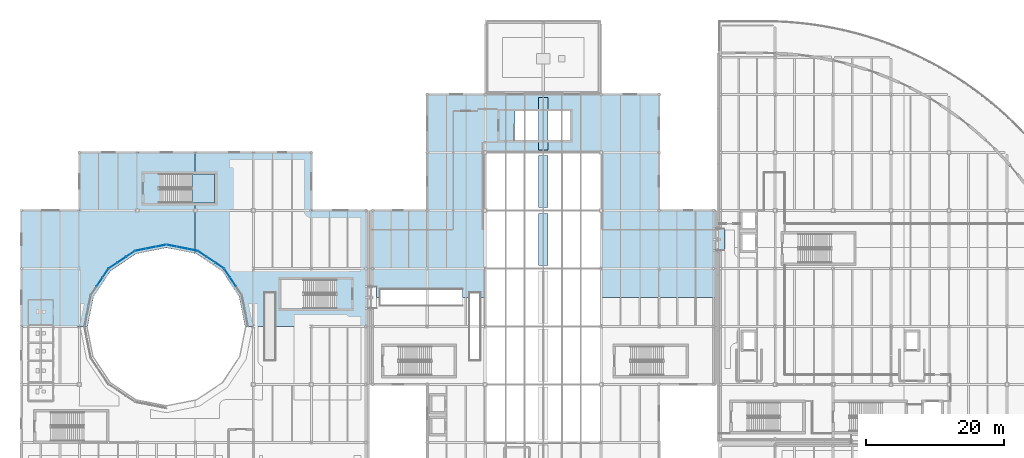
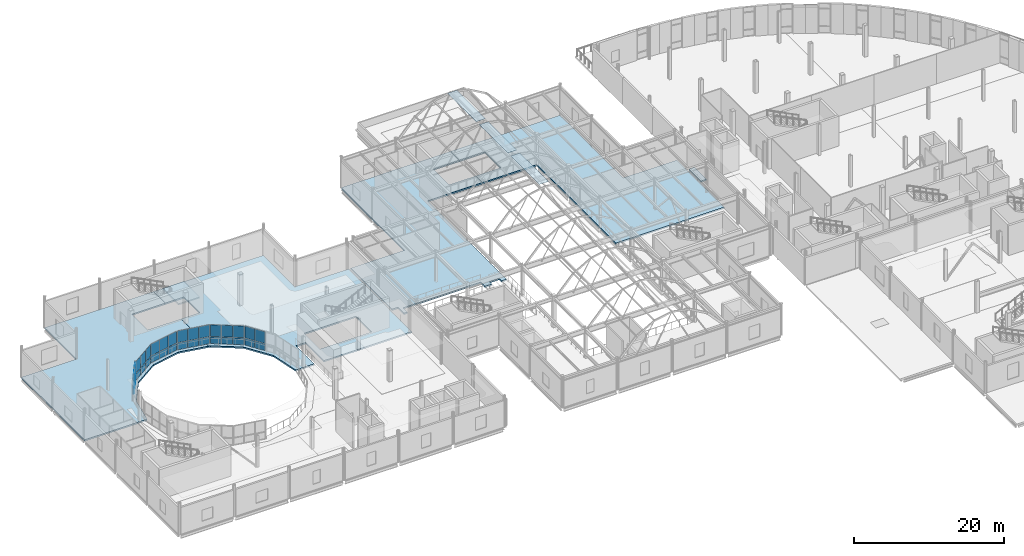
# One storey, part 59 of 103: 35 plates, 6 slabs, 7 elements without a shape of their own.
"""IFC4 building model written with IfcOpenShell, lengths in metres."""

from ifc_helpers import new_model, si_unit, direction, frame, origin, origin_2d, place, context, subcontext, project, spatial, polyline, rectangle, outline, extrude, material, layer, layer_set, type_object, element, aggregate, save


model = new_model("IFC4")

# Units and contexts
model_context = context("Model", 3, precision=1e-05, world=origin(), true_north=direction((0.0, 1.0)))
body_context = subcontext(model_context, "Body", "Model", "MODEL_VIEW")
ifc_project = project(units=[si_unit("LENGTHUNIT", "METRE"), si_unit("AREAUNIT", "SQUARE_METRE"), si_unit("VOLUMEUNIT", "CUBIC_METRE"), si_unit("PLANEANGLEUNIT", "RADIAN"), si_unit("MASSUNIT", "GRAM", prefix="KILO"), si_unit("THERMODYNAMICTEMPERATUREUNIT", "KELVIN")], contexts=[model_context])

# Site, building, storey
site_placement = place(None, origin())
site = spatial("IfcSite", under=ifc_project, at=site_placement, CompositionType="ELEMENT")
building_placement = place(site_placement, origin())
building = spatial("IfcBuilding", under=site, at=building_placement, Name="Lustrewick Department Store", CompositionType="ELEMENT")
storey_placement = place(building_placement, frame((0.0, 0.0, 16.5)))
storey = spatial("IfcBuildingStorey", under=building, at=storey_placement, Name="L04", CompositionType="ELEMENT", Elevation=16.5)

# Curtain wall, plates
ifc_material_1 = material(Name="Thermally broken aluminium 6063-T5", Category="aluminium")
ifc_layer_1 = layer(ifc_material_1, 0.169921875, Name="Thermally broken aluminium 6063-T5")
ifc_layer_set_1 = layer_set([ifc_layer_1], Name="Thermally broken aluminium 6063-T5")
curtain_wall_type_1 = type_object("IfcCurtainWallType", Name="CW16", PredefinedType="NOTDEFINED", material=ifc_layer_set_1)
curtain_wall_1_placement = place(storey_placement, origin())
curtain_wall_1 = element("IfcCurtainWall", 1, at=curtain_wall_1_placement, inside=storey, type_object=curtain_wall_type_1, Name="L04 Atrium Glazed Screen CW16", PredefinedType="NOTDEFINED")
ifc_material_2 = material(Name="Fire-protective atrium safety glass", Category="glass")
ifc_layer_2 = layer(ifc_material_2, 0.02490234375, Name="Fire-protective atrium safety glass")
ifc_layer_set_2 = layer_set([ifc_layer_2], Name="Fire-protective atrium safety glass")
plate_type_1 = type_object("IfcPlateType", Name="CP06", PredefinedType="CURTAIN_PANEL", material=ifc_layer_set_2)
plate_1_placement = place(storey_placement, frame((37.125, 76.016357421875, 0.06494140625), z_axis=(0.0, 0.0, 1.0), x_axis=(-0.831464212799, 0.555578313862, 0.0)))
plate_1 = element("IfcPlate", 2, at=plate_1_placement, type_object=plate_type_1, Name="CW16 panel 1.1", PredefinedType="CURTAIN_PANEL", context=body_context, shape_type="SweptSolid", body=[
    extrude(rectangle(XDim=1.443603515625, YDim=0.02490234375, at=origin_2d()), origin(), (0.0, 0.0, 1.0), 1.1025390625),
])
plate_2_placement = place(storey_placement, frame((37.125, 76.016357421875, 1.232421875), z_axis=(0.0, 0.0, 1.0), x_axis=(-0.831464212799, 0.555578313862, 0.0)))
plate_2 = element("IfcPlate", 3, at=plate_2_placement, type_object=plate_type_1, Name="CW16 panel 1.2", PredefinedType="CURTAIN_PANEL", context=body_context, shape_type="SweptSolid", body=[
    extrude(rectangle(XDim=1.443603515625, YDim=0.02490234375, at=origin_2d()), origin(), (0.0, 0.0, 1.0), 1.902587890625),
])
plate_3_placement = place(storey_placement, frame((35.85693359375, 76.863525390625, 0.06494140625), z_axis=(0.0, 0.0, 1.0), x_axis=(-0.831464212799, 0.555578313862, 0.0)))
plate_3 = element("IfcPlate", 4, at=plate_3_placement, type_object=plate_type_1, Name="CW16 panel 2.1", PredefinedType="CURTAIN_PANEL", context=body_context, shape_type="SweptSolid", body=[
    extrude(rectangle(XDim=1.476318359375, YDim=0.02490234375, at=origin_2d()), origin(), (0.0, 0.0, 1.0), 1.1025390625),
])
plate_4_placement = place(storey_placement, frame((35.85693359375, 76.863525390625, 1.232421875), z_axis=(0.0, 0.0, 1.0), x_axis=(-0.831464212799, 0.555578313862, 0.0)))
plate_4 = element("IfcPlate", 5, at=plate_4_placement, type_object=plate_type_1, Name="CW16 panel 2.2", PredefinedType="CURTAIN_PANEL", context=body_context, shape_type="SweptSolid", body=[
    extrude(rectangle(XDim=1.476318359375, YDim=0.02490234375, at=origin_2d()), origin(), (0.0, 0.0, 1.0), 1.902587890625),
])
plate_5_placement = place(storey_placement, frame((34.589111328125, 77.7109375, 0.06494140625), z_axis=(0.0, 0.0, 1.0), x_axis=(-0.831464212799, 0.555578313862, 0.0)))
plate_5 = element("IfcPlate", 6, at=plate_5_placement, type_object=plate_type_1, Name="CW16 panel 3.1", PredefinedType="CURTAIN_PANEL", context=body_context, shape_type="SweptSolid", body=[
    extrude(rectangle(XDim=1.443603515625, YDim=0.02490234375, at=origin_2d()), origin(), (0.0, 0.0, 1.0), 1.1025390625),
])
plate_6_placement = place(storey_placement, frame((34.589111328125, 77.7109375, 1.232421875), z_axis=(0.0, 0.0, 1.0), x_axis=(-0.831464212799, 0.555578313862, 0.0)))
plate_6 = element("IfcPlate", 7, at=plate_6_placement, type_object=plate_type_1, Name="CW16 panel 3.2", PredefinedType="CURTAIN_PANEL", context=body_context, shape_type="SweptSolid", body=[
    extrude(rectangle(XDim=1.443603515625, YDim=0.02490234375, at=origin_2d()), origin(), (0.0, 0.0, 1.0), 1.902587890625),
])
aggregate(curtain_wall_1, [plate_1, plate_2, plate_3, plate_4, plate_5, plate_6])

curtain_wall_2_placement = place(storey_placement, origin())
curtain_wall_2 = element("IfcCurtainWall", 8, at=curtain_wall_2_placement, inside=storey, type_object=curtain_wall_type_1, Name="L04 Atrium Glazed Screen CW16", PredefinedType="NOTDEFINED")
plate_7_placement = place(storey_placement, frame((24.2109375, 77.7109375, 0.06494140625), z_axis=(0.0, 0.0, 1.0), x_axis=(-0.831464212799, -0.555578313862, 0.0)))
plate_7 = element("IfcPlate", 9, at=plate_7_placement, type_object=plate_type_1, Name="CW16 panel 1.1", PredefinedType="CURTAIN_PANEL", context=body_context, shape_type="SweptSolid", body=[
    extrude(rectangle(XDim=1.443603515625, YDim=0.02490234375, at=origin_2d()), origin(), (0.0, 0.0, 1.0), 1.1025390625),
])
plate_8_placement = place(storey_placement, frame((24.2109375, 77.7109375, 1.232421875), z_axis=(0.0, 0.0, 1.0), x_axis=(-0.831464212799, -0.555578313862, 0.0)))
plate_8 = element("IfcPlate", 10, at=plate_8_placement, type_object=plate_type_1, Name="CW16 panel 1.2", PredefinedType="CURTAIN_PANEL", context=body_context, shape_type="SweptSolid", body=[
    extrude(rectangle(XDim=1.443603515625, YDim=0.02490234375, at=origin_2d()), origin(), (0.0, 0.0, 1.0), 1.902587890625),
])
plate_9_placement = place(storey_placement, frame((22.943115234375, 76.863525390625, 0.06494140625), z_axis=(0.0, 0.0, 1.0), x_axis=(-0.831464212799, -0.555578313862, 0.0)))
plate_9 = element("IfcPlate", 11, at=plate_9_placement, type_object=plate_type_1, Name="CW16 panel 2.1", PredefinedType="CURTAIN_PANEL", context=body_context, shape_type="SweptSolid", body=[
    extrude(rectangle(XDim=1.476318359375, YDim=0.02490234375, at=origin_2d()), origin(), (0.0, 0.0, 1.0), 1.1025390625),
])
plate_10_placement = place(storey_placement, frame((22.943115234375, 76.863525390625, 1.232421875), z_axis=(0.0, 0.0, 1.0), x_axis=(-0.831464212799, -0.555578313862, 0.0)))
plate_10 = element("IfcPlate", 12, at=plate_10_placement, type_object=plate_type_1, Name="CW16 panel 2.2", PredefinedType="CURTAIN_PANEL", context=body_context, shape_type="SweptSolid", body=[
    extrude(rectangle(XDim=1.476318359375, YDim=0.02490234375, at=origin_2d()), origin(), (0.0, 0.0, 1.0), 1.902587890625),
])
plate_11_placement = place(storey_placement, frame((21.675048828125, 76.016357421875, 0.06494140625), z_axis=(0.0, 0.0, 1.0), x_axis=(-0.831464212799, -0.555578313862, 0.0)))
plate_11 = element("IfcPlate", 13, at=plate_11_placement, type_object=plate_type_1, Name="CW16 panel 3.1", PredefinedType="CURTAIN_PANEL", context=body_context, shape_type="SweptSolid", body=[
    extrude(rectangle(XDim=1.443603515625, YDim=0.02490234375, at=origin_2d()), origin(), (0.0, 0.0, 1.0), 1.1025390625),
])
plate_12_placement = place(storey_placement, frame((21.675048828125, 76.016357421875, 1.232421875), z_axis=(0.0, 0.0, 1.0), x_axis=(-0.831464212799, -0.555578313862, 0.0)))
plate_12 = element("IfcPlate", 14, at=plate_12_placement, type_object=plate_type_1, Name="CW16 panel 3.2", PredefinedType="CURTAIN_PANEL", context=body_context, shape_type="SweptSolid", body=[
    extrude(rectangle(XDim=1.443603515625, YDim=0.02490234375, at=origin_2d()), origin(), (0.0, 0.0, 1.0), 1.902587890625),
])
aggregate(curtain_wall_2, [plate_7, plate_8, plate_9, plate_10, plate_11, plate_12])

ifc_layer_3 = layer(ifc_material_1, 0.159912109375, Name="Thermally broken aluminium 6063-T5")
ifc_layer_set_3 = layer_set([ifc_layer_3], Name="Thermally broken aluminium 6063-T5")
curtain_wall_type_2 = type_object("IfcCurtainWallType", Name="CW17", PredefinedType="NOTDEFINED", material=ifc_layer_set_3)
curtain_wall_3_placement = place(storey_placement, origin())
curtain_wall_3 = element("IfcCurtainWall", 15, at=curtain_wall_3_placement, inside=storey, type_object=curtain_wall_type_2, Name="L04 Atrium Glazed Screen CW17", PredefinedType="NOTDEFINED")
ifc_layer_4 = layer(ifc_material_2, 0.027099609375, Name="Fire-protective atrium safety glass")
ifc_layer_set_4 = layer_set([ifc_layer_4], Name="Fire-protective atrium safety glass")
plate_type_2 = type_object("IfcPlateType", Name="CP07", PredefinedType="CURTAIN_PANEL", material=ifc_layer_set_4)
plate_13_placement = place(storey_placement, frame((33.164306640625, 78.30126953125, 0.06005859375), z_axis=(0.0, 0.0, 1.0), x_axis=(-0.980786430993, 0.195084537521, 0.0)))
plate_13 = element("IfcPlate", 16, at=plate_13_placement, type_object=plate_type_2, Name="CW17 panel 1.1", PredefinedType="CURTAIN_PANEL", context=body_context, shape_type="SweptSolid", body=[
    extrude(rectangle(XDim=1.451171875, YDim=0.027099609375, at=origin_2d()), origin(), (0.0, 0.0, 1.0), 1.110107421875),
])
plate_14_placement = place(storey_placement, frame((33.164306640625, 78.30126953125, 1.22998046875), z_axis=(0.0, 0.0, 1.0), x_axis=(-0.980786430993, 0.195084537521, 0.0)))
plate_14 = element("IfcPlate", 17, at=plate_14_placement, type_object=plate_type_2, Name="CW17 panel 1.2", PredefinedType="CURTAIN_PANEL", context=body_context, shape_type="SweptSolid", body=[
    extrude(rectangle(XDim=1.451171875, YDim=0.027099609375, at=origin_2d()), origin(), (0.0, 0.0, 1.0), 1.909912109375),
])
plate_15_placement = place(storey_placement, frame((31.66748046875, 78.59912109375, 0.06005859375), z_axis=(0.0, 0.0, 1.0), x_axis=(-0.980786430993, 0.195084537521, 0.0)))
plate_15 = element("IfcPlate", 18, at=plate_15_placement, type_object=plate_type_2, Name="CW17 panel 2.1", PredefinedType="CURTAIN_PANEL", context=body_context, shape_type="SweptSolid", body=[
    extrude(rectangle(XDim=1.481201171875, YDim=0.027099609375, at=origin_2d()), origin(), (0.0, 0.0, 1.0), 1.110107421875),
])
plate_16_placement = place(storey_placement, frame((31.66748046875, 78.59912109375, 1.22998046875), z_axis=(0.0, 0.0, 1.0), x_axis=(-0.980786430993, 0.195084537521, 0.0)))
plate_16 = element("IfcPlate", 19, at=plate_16_placement, type_object=plate_type_2, Name="CW17 panel 2.2", PredefinedType="CURTAIN_PANEL", context=body_context, shape_type="SweptSolid", body=[
    extrude(rectangle(XDim=1.481201171875, YDim=0.027099609375, at=origin_2d()), origin(), (0.0, 0.0, 1.0), 1.909912109375),
])
plate_17_placement = place(storey_placement, frame((30.17041015625, 78.896728515625, 0.06005859375), z_axis=(0.0, 0.0, 1.0), x_axis=(-0.980786430993, 0.195084537521, 0.0)))
plate_17 = element("IfcPlate", 20, at=plate_17_placement, type_object=plate_type_2, Name="CW17 panel 3.1", PredefinedType="CURTAIN_PANEL", context=body_context, shape_type="SweptSolid", body=[
    extrude(rectangle(XDim=1.451171875, YDim=0.027099609375, at=origin_2d()), origin(), (0.0, 0.0, 1.0), 1.110107421875),
])
plate_18_placement = place(storey_placement, frame((30.17041015625, 78.896728515625, 1.22998046875), z_axis=(0.0, 0.0, 1.0), x_axis=(-0.980786430993, 0.195084537521, 0.0)))
plate_18 = element("IfcPlate", 21, at=plate_18_placement, type_object=plate_type_2, Name="CW17 panel 3.2", PredefinedType="CURTAIN_PANEL", context=body_context, shape_type="SweptSolid", body=[
    extrude(rectangle(XDim=1.451171875, YDim=0.027099609375, at=origin_2d()), origin(), (0.0, 0.0, 1.0), 1.909912109375),
])
aggregate(curtain_wall_3, [plate_13, plate_14, plate_15, plate_16, plate_17, plate_18])

curtain_wall_4_placement = place(storey_placement, origin())
curtain_wall_4 = element("IfcCurtainWall", 22, at=curtain_wall_4_placement, inside=storey, type_object=curtain_wall_type_2, Name="L04 Atrium Glazed Screen CW17", PredefinedType="NOTDEFINED")
plate_19_placement = place(storey_placement, frame((20.584228515625, 74.926025390625, 0.06005859375), z_axis=(0.0, 0.0, 1.0), x_axis=(-0.555578313862, -0.831464212799, 0.0)))
plate_19 = element("IfcPlate", 23, at=plate_19_placement, type_object=plate_type_2, Name="CW17 panel 1.1", PredefinedType="CURTAIN_PANEL", context=body_context, shape_type="SweptSolid", body=[
    extrude(rectangle(XDim=1.451171875, YDim=0.027099609375, at=origin_2d()), origin(), (0.0, 0.0, 1.0), 1.110107421875),
])
plate_20_placement = place(storey_placement, frame((20.584228515625, 74.926025390625, 1.22998046875), z_axis=(0.0, 0.0, 1.0), x_axis=(-0.555578313862, -0.831464212799, 0.0)))
plate_20 = element("IfcPlate", 24, at=plate_20_placement, type_object=plate_type_2, Name="CW17 panel 1.2", PredefinedType="CURTAIN_PANEL", context=body_context, shape_type="SweptSolid", body=[
    extrude(rectangle(XDim=1.451171875, YDim=0.027099609375, at=origin_2d()), origin(), (0.0, 0.0, 1.0), 1.909912109375),
])
plate_21_placement = place(storey_placement, frame((19.736328125, 73.656982421875, 0.06005859375), z_axis=(0.0, 0.0, 1.0), x_axis=(-0.555578313862, -0.831464212799, 0.0)))
plate_21 = element("IfcPlate", 25, at=plate_21_placement, type_object=plate_type_2, Name="CW17 panel 2.1", PredefinedType="CURTAIN_PANEL", context=body_context, shape_type="SweptSolid", body=[
    extrude(rectangle(XDim=1.481201171875, YDim=0.027099609375, at=origin_2d()), origin(), (0.0, 0.0, 1.0), 1.110107421875),
])
plate_22_placement = place(storey_placement, frame((19.736328125, 73.656982421875, 1.22998046875), z_axis=(0.0, 0.0, 1.0), x_axis=(-0.555578313862, -0.831464212799, 0.0)))
plate_22 = element("IfcPlate", 26, at=plate_22_placement, type_object=plate_type_2, Name="CW17 panel 2.2", PredefinedType="CURTAIN_PANEL", context=body_context, shape_type="SweptSolid", body=[
    extrude(rectangle(XDim=1.481201171875, YDim=0.027099609375, at=origin_2d()), origin(), (0.0, 0.0, 1.0), 1.909912109375),
])
aggregate(curtain_wall_4, [plate_19, plate_20, plate_21, plate_22])

ifc_layer_5 = layer(ifc_material_1, 0.14990234375, Name="Thermally broken aluminium 6063-T5")
ifc_layer_set_5 = layer_set([ifc_layer_5], Name="Thermally broken aluminium 6063-T5")
curtain_wall_type_3 = type_object("IfcCurtainWallType", Name="CW18", PredefinedType="NOTDEFINED", material=ifc_layer_set_5)
curtain_wall_5_placement = place(storey_placement, origin())
curtain_wall_5 = element("IfcCurtainWall", 27, at=curtain_wall_5_placement, inside=storey, type_object=curtain_wall_type_3, Name="L04 Atrium Glazed Screen CW18", PredefinedType="NOTDEFINED")
ifc_material_3 = material(Name="Fire-protective arcade safety glass", Category="glass")
ifc_layer_6 = layer(ifc_material_3, 0.029052734375, Name="Fire-protective arcade safety glass")
ifc_layer_set_6 = layer_set([ifc_layer_6], Name="Fire-protective arcade safety glass")
plate_type_3 = type_object("IfcPlateType", Name="CP08", PredefinedType="CURTAIN_PANEL", material=ifc_layer_set_6)
plate_23_placement = place(storey_placement, frame((39.063720703125, 73.656982421875, 0.06005859375), z_axis=(0.0, 0.0, 1.0), x_axis=(-0.555578313862, 0.831464212799, 0.0)))
plate_23 = element("IfcPlate", 28, at=plate_23_placement, type_object=plate_type_3, Name="CW18 panel 2.1", PredefinedType="CURTAIN_PANEL", context=body_context, shape_type="SweptSolid", body=[
    extrude(rectangle(XDim=1.481201171875, YDim=0.029052734375, at=origin_2d()), origin(), (0.0, 0.0, 1.0), 1.110107421875),
])
plate_24_placement = place(storey_placement, frame((39.063720703125, 73.656982421875, 1.22998046875), z_axis=(0.0, 0.0, 1.0), x_axis=(-0.555578313862, 0.831464212799, 0.0)))
plate_24 = element("IfcPlate", 29, at=plate_24_placement, type_object=plate_type_3, Name="CW18 panel 2.2", PredefinedType="CURTAIN_PANEL", context=body_context, shape_type="SweptSolid", body=[
    extrude(rectangle(XDim=1.481201171875, YDim=0.029052734375, at=origin_2d()), origin(), (0.0, 0.0, 1.0), 1.909912109375),
])
plate_25_placement = place(storey_placement, frame((38.215576171875, 74.926025390625, 0.06005859375), z_axis=(0.0, 0.0, 1.0), x_axis=(-0.555578313862, 0.831464212799, 0.0)))
plate_25 = element("IfcPlate", 30, at=plate_25_placement, type_object=plate_type_3, Name="CW18 panel 3.1", PredefinedType="CURTAIN_PANEL", context=body_context, shape_type="SweptSolid", body=[
    extrude(rectangle(XDim=1.451171875, YDim=0.029052734375, at=origin_2d()), origin(), (0.0, 0.0, 1.0), 1.110107421875),
])
plate_26_placement = place(storey_placement, frame((38.215576171875, 74.926025390625, 1.22998046875), z_axis=(0.0, 0.0, 1.0), x_axis=(-0.555578313862, 0.831464212799, 0.0)))
plate_26 = element("IfcPlate", 31, at=plate_26_placement, type_object=plate_type_3, Name="CW18 panel 3.2", PredefinedType="CURTAIN_PANEL", context=body_context, shape_type="SweptSolid", body=[
    extrude(rectangle(XDim=1.451171875, YDim=0.029052734375, at=origin_2d()), origin(), (0.0, 0.0, 1.0), 1.909912109375),
])
aggregate(curtain_wall_5, [plate_23, plate_24, plate_25, plate_26])

curtain_wall_6_placement = place(storey_placement, origin())
curtain_wall_6 = element("IfcCurtainWall", 32, at=curtain_wall_6_placement, inside=storey, type_object=curtain_wall_type_3, Name="L04 Atrium Glazed Screen CW18", PredefinedType="NOTDEFINED")
plate_27_placement = place(storey_placement, frame((28.62939453125, 78.896728515625, 0.06005859375), z_axis=(0.0, 0.0, 1.0), x_axis=(-0.980786430993, -0.195084537521, 0.0)))
plate_27 = element("IfcPlate", 33, at=plate_27_placement, type_object=plate_type_3, Name="CW18 panel 1.1", PredefinedType="CURTAIN_PANEL", context=body_context, shape_type="SweptSolid", body=[
    extrude(rectangle(XDim=1.451171875, YDim=0.029052734375, at=origin_2d()), origin(), (0.0, 0.0, 1.0), 1.110107421875),
])
plate_28_placement = place(storey_placement, frame((28.62939453125, 78.896728515625, 1.22998046875), z_axis=(0.0, 0.0, 1.0), x_axis=(-0.980786430993, -0.195084537521, 0.0)))
plate_28 = element("IfcPlate", 34, at=plate_28_placement, type_object=plate_type_3, Name="CW18 panel 1.2", PredefinedType="CURTAIN_PANEL", context=body_context, shape_type="SweptSolid", body=[
    extrude(rectangle(XDim=1.451171875, YDim=0.029052734375, at=origin_2d()), origin(), (0.0, 0.0, 1.0), 1.909912109375),
])
plate_29_placement = place(storey_placement, frame((27.132568359375, 78.59912109375, 0.06005859375), z_axis=(0.0, 0.0, 1.0), x_axis=(-0.980786430993, -0.195084537521, 0.0)))
plate_29 = element("IfcPlate", 35, at=plate_29_placement, type_object=plate_type_3, Name="CW18 panel 2.1", PredefinedType="CURTAIN_PANEL", context=body_context, shape_type="SweptSolid", body=[
    extrude(rectangle(XDim=1.481201171875, YDim=0.029052734375, at=origin_2d()), origin(), (0.0, 0.0, 1.0), 1.110107421875),
])
plate_30_placement = place(storey_placement, frame((27.132568359375, 78.59912109375, 1.22998046875), z_axis=(0.0, 0.0, 1.0), x_axis=(-0.980786430993, -0.195084537521, 0.0)))
plate_30 = element("IfcPlate", 36, at=plate_30_placement, type_object=plate_type_3, Name="CW18 panel 2.2", PredefinedType="CURTAIN_PANEL", context=body_context, shape_type="SweptSolid", body=[
    extrude(rectangle(XDim=1.481201171875, YDim=0.029052734375, at=origin_2d()), origin(), (0.0, 0.0, 1.0), 1.909912109375),
])
plate_31_placement = place(storey_placement, frame((25.6357421875, 78.30126953125, 0.06005859375), z_axis=(0.0, 0.0, 1.0), x_axis=(-0.980786430993, -0.195084537521, 0.0)))
plate_31 = element("IfcPlate", 37, at=plate_31_placement, type_object=plate_type_3, Name="CW18 panel 3.1", PredefinedType="CURTAIN_PANEL", context=body_context, shape_type="SweptSolid", body=[
    extrude(rectangle(XDim=1.451171875, YDim=0.029052734375, at=origin_2d()), origin(), (0.0, 0.0, 1.0), 1.110107421875),
])
plate_32_placement = place(storey_placement, frame((25.6357421875, 78.30126953125, 1.22998046875), z_axis=(0.0, 0.0, 1.0), x_axis=(-0.980786430993, -0.195084537521, 0.0)))
plate_32 = element("IfcPlate", 38, at=plate_32_placement, type_object=plate_type_3, Name="CW18 panel 3.2", PredefinedType="CURTAIN_PANEL", context=body_context, shape_type="SweptSolid", body=[
    extrude(rectangle(XDim=1.451171875, YDim=0.029052734375, at=origin_2d()), origin(), (0.0, 0.0, 1.0), 1.909912109375),
])
aggregate(curtain_wall_6, [plate_27, plate_28, plate_29, plate_30, plate_31, plate_32])

# Slabs
ifc_material_4 = material(Name="Concrete C30", Category="concrete")
ifc_layer_7 = layer(ifc_material_4, 0.235107421875, Name="Concrete C30")
ifc_layer_set_7 = layer_set([ifc_layer_7], Name="Concrete C30")
slab_type_1 = type_object("IfcSlabType", Name="FS04", PredefinedType="FLOOR", material=ifc_layer_set_7)
slab_1_placement = place(storey_placement, frame((0.0, 0.0, -0.235107421875)))
element("IfcSlab", 39, at=slab_1_placement, inside=storey, type_object=slab_type_1, Name="L04 V1 Floor Slab FS04", PredefinedType="FLOOR", context=body_context, shape_type="SweptSolid", body=[
    extrude(outline(polyline([(8.39990234375, 84.0), (8.39990234375, 67.199951171875), (18.0, 67.199951171875), (18.867919921875, 71.5625), (21.339111328125, 75.260986328125), (25.037353515625, 77.732177734375), (29.39990234375, 78.60009765625), (33.52490234375, 77.779541015625), (33.52490234375, 85.10009765625), (28.419921875, 85.10009765625), (28.419921875, 89.300048828125), (33.52490234375, 89.300048828125), (33.52490234375, 92.39990234375), (16.800048828125, 92.39990234375), (16.800048828125, 84.0), (8.39990234375, 84.0)])), origin(), (0.0, 0.0, 1.0), 0.235107421875),
])
slab_2_placement = place(storey_placement, frame((0.0, 0.0, -0.235107421875)))
element("IfcSlab", 40, at=slab_2_placement, inside=storey, type_object=slab_type_1, Name="L04 V1 Floor Slab FS04", PredefinedType="FLOOR", context=body_context, shape_type="SweptSolid", body=[
    extrude(outline(polyline([(58.64990234375, 67.199951171875), (58.64990234375, 84.0), (50.39990234375, 84.0), (50.39990234375, 92.39990234375), (33.52490234375, 92.39990234375), (33.52490234375, 89.300048828125), (36.39990234375, 89.300048828125), (36.39990234375, 85.10009765625), (33.52490234375, 85.10009765625), (33.52490234375, 77.779541015625), (33.7626953125, 77.732177734375), (37.4609375, 75.260986328125), (39.93212890625, 71.5625), (40.800048828125, 67.199951171875), (43.64990234375, 67.199951171875), (43.64990234375, 72.050048828125), (45.14990234375, 72.050048828125), (45.14990234375, 67.199951171875), (58.64990234375, 67.199951171875)]), holes=[polyline([(46.0, 69.800048828125), (46.0, 74.0), (53.97998046875, 74.0), (53.97998046875, 69.800048828125), (46.0, 69.800048828125)])]), origin(), (0.0, 0.0, 1.0), 0.235107421875),
])
slab_3_placement = place(storey_placement, frame((0.0, 0.0, -0.235107421875)))
element("IfcSlab", 41, at=slab_3_placement, inside=storey, type_object=slab_type_1, Name="L04 V2 Floor Slab FS04", PredefinedType="FLOOR", context=body_context, shape_type="SweptSolid", body=[
    extrude(outline(polyline([(60.39990234375, 71.39990234375), (60.39990234375, 72.530029296875), (60.39990234375, 72.550048828125), (72.320068359375, 72.550048828125), (72.320068359375, 72.530029296875), (72.320068359375, 71.39990234375), (73.35009765625, 71.39990234375), (73.35009765625, 72.050048828125), (74.85009765625, 72.050048828125), (74.85009765625, 71.39990234375), (75.60009765625, 71.39990234375), (75.60009765625, 92.39990234375), (84.0, 92.39990234375), (84.0, 94.199951171875), (79.919921875, 94.199951171875), (79.919921875, 98.39990234375), (84.0, 98.39990234375), (84.0, 100.800048828125), (67.199951171875, 100.800048828125), (67.199951171875, 84.0), (58.949951171875, 84.0), (58.949951171875, 73.0048828125), (59.8349609375, 73.0048828125), (59.8349609375, 71.39990234375), (60.39990234375, 71.39990234375)])), origin(), (0.0, 0.0, 1.0), 0.235107421875),
])
slab_4_placement = place(storey_placement, frame((0.0, 0.0, -0.235107421875)))
element("IfcSlab", 42, at=slab_4_placement, inside=storey, type_object=slab_type_1, Name="L04 V2 Floor Slab FS04", PredefinedType="FLOOR", context=body_context, shape_type="SweptSolid", body=[
    extrude(outline(polyline([(100.800048828125, 100.800048828125), (84.0, 100.800048828125), (84.0, 98.39990234375), (87.89990234375, 98.39990234375), (87.89990234375, 94.199951171875), (84.0, 94.199951171875), (84.0, 92.39990234375), (92.39990234375, 92.39990234375), (92.39990234375, 71.39990234375), (109.050048828125, 71.39990234375), (109.050048828125, 84.0), (100.800048828125, 84.0), (100.800048828125, 100.800048828125)])), origin(), (0.0, 0.0, 1.0), 0.235107421875),
])
ifc_layer_8 = layer(ifc_material_4, 0.215087890625, Name="Concrete C30")
ifc_layer_set_8 = layer_set([ifc_layer_8], Name="Concrete C30")
slab_type_2 = type_object("IfcSlabType", Name="FS10", PredefinedType="FLOOR", material=ifc_layer_set_8)
slab_5_placement = place(storey_placement, frame((0.0, 0.0, -0.215087890625)))
element("IfcSlab", 43, at=slab_5_placement, inside=storey, type_object=slab_type_2, Name="L04 Skybridge SB24 Deck Slab", PredefinedType="FLOOR", context=body_context, shape_type="SweptSolid", body=[
    extrude(outline(polyline([(110.22998046875, 78.199951171875), (110.22998046875, 81.39990234375), (109.35498046875, 81.39990234375), (109.35498046875, 78.199951171875), (110.22998046875, 78.199951171875)])), origin(), (0.0, 0.0, 1.0), 0.215087890625),
])

# Stair, slab
stair_type = type_object("IfcStairType", Name="ST-H51", PredefinedType="HALF_TURN_STAIR", material=ifc_material_4)
stair_placement = place(storey_placement, origin())
stair = element("IfcStair", 44, at=stair_placement, inside=storey, type_object=stair_type, Name="L04 Smoke-Proof Exit Stair ST03", PredefinedType="HALF_TURN_STAIR")
ifc_layer_9 = layer(ifc_material_4, 0.199951171875, Name="Concrete C30")
ifc_layer_set_9 = layer_set([ifc_layer_9], Name="Concrete C30")
slab_type_3 = type_object("IfcSlabType", Name="LS01", PredefinedType="LANDING", material=ifc_layer_set_9)
slab_6_placement = place(storey_placement, frame((0.0, 0.0, 2.35009765625)))
slab_6 = element("IfcSlab", 45, at=slab_6_placement, type_object=slab_type_3, Name="ST-H51 landing 1", PredefinedType="LANDING", context=body_context, shape_type="SweptSolid", body=[
    extrude(outline(polyline([(33.14990234375, 85.10009765625), (36.39990234375, 85.10009765625), (36.39990234375, 89.300048828125), (33.14990234375, 89.300048828125), (33.14990234375, 85.10009765625)])), origin(), (0.0, 0.0, 1.0), 0.199951171875),
])
aggregate(stair, [slab_6])

# Plates
ifc_material_5 = material(Name="Low-E laminated safety glass", Category="glass")
ifc_layer_10 = layer(ifc_material_5, 0.02197265625, Name="Low-E laminated safety glass")
ifc_layer_set_10 = layer_set([ifc_layer_10], Name="Low-E laminated safety glass")
plate_type_4 = type_object("IfcPlateType", Name="RP01", PredefinedType="SHEET", material=ifc_layer_set_10)
for number, where, z_axis, x_axis, name in (
    (46, (84.0, 79.800048828125, 9.89892578125), (0.0, 0.0, 1.0), (1.0, 0.0, 0.0), "L04 Verriere Crown Glazing Plate 5"),
    (47, (84.0, 88.199951171875, 9.89892578125), (0.0, 0.0, 1.0), (1.0, 0.0, 0.0), "L04 Verriere Crown Glazing Plate 6"),
    (48, (84.0, 96.60009765625, 9.89892578125), (0.0, 0.0, 1.0), (1.0, 0.0, 0.0), "L04 Verriere Crown Glazing Plate 7"),
):
    element("IfcPlate", number, at=place(storey_placement, frame(where, z_axis=z_axis, x_axis=x_axis)), inside=storey, type_object=plate_type_4, Name=name, PredefinedType="SHEET", context=body_context, shape_type="SweptSolid", body=[
        extrude(rectangle(XDim=1.39990234375, YDim=7.60009765625, at=origin_2d()), origin(), (0.0, 0.0, 1.0), 0.02197265625),
    ])

save(model, "model.ifc")
